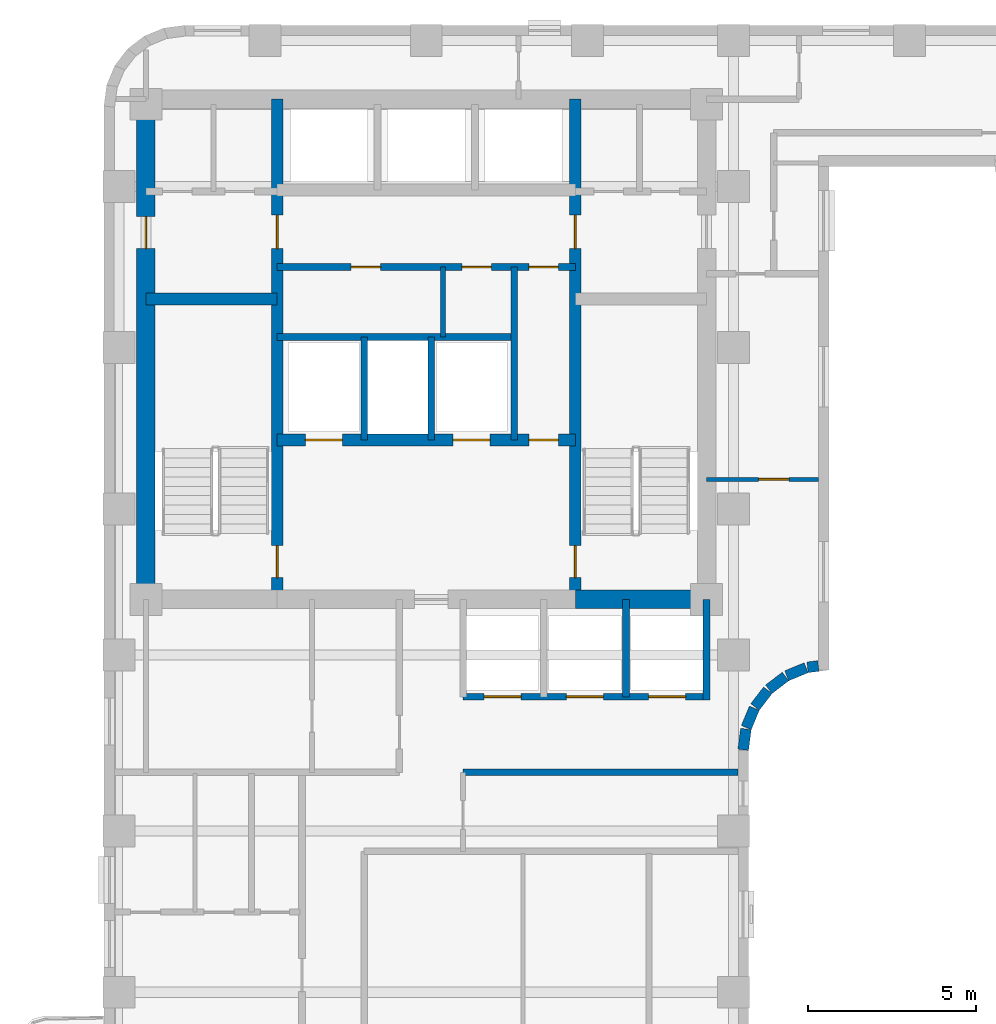
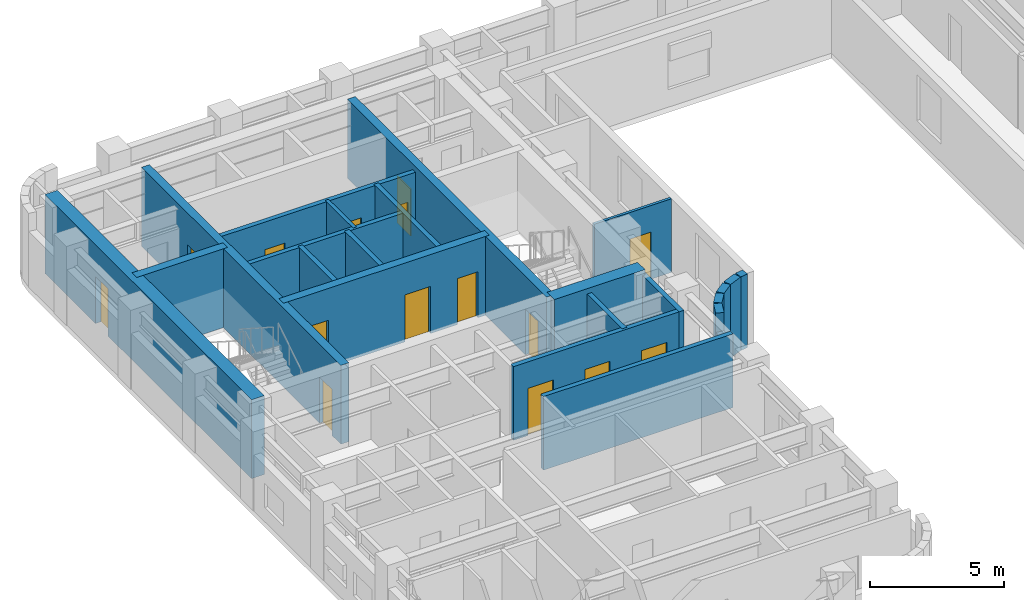
# One storey, part 4 of 10: 23 walls, 15 doors, 15 openings.
"""IFC4 building model written with IfcOpenShell, lengths in metres."""

from ifc_helpers import new_model, si_unit, direction, frame, frame_2d, origin, place, context, subcontext, project, spatial, rectangle, extrude, material, layer, layer_set, type_object, element, fill, save


model = new_model("IFC4")

# Units and contexts
model_context = context("Model", 3, precision=1e-05, world=origin(), true_north=direction((0.0, 1.0)))
body_context = subcontext(model_context, "Body", "Model", "MODEL_VIEW")
ifc_project = project(units=[si_unit("LENGTHUNIT", "METRE"), si_unit("AREAUNIT", "SQUARE_METRE"), si_unit("VOLUMEUNIT", "CUBIC_METRE"), si_unit("PLANEANGLEUNIT", "RADIAN"), si_unit("MASSUNIT", "GRAM", prefix="KILO")], contexts=[model_context])

# Site, building, storey
site_placement = place(None, origin())
site = spatial("IfcSite", under=ifc_project, at=site_placement, CompositionType="ELEMENT")
building_placement = place(site_placement, origin())
building = spatial("IfcBuilding", under=site, at=building_placement, Name="Orvandelia Arch Residences", CompositionType="ELEMENT")
storey_placement = place(building_placement, frame((0.0, 0.0, 179.199951171875)))
storey = spatial("IfcBuildingStorey", under=building, at=storey_placement, Name="L47", CompositionType="ELEMENT", Elevation=179.199951171875)

# Wall, openings, doors
ifc_material_1 = material(Name="Concrete C50/60", Category="concrete")
ifc_layer_1 = layer(ifc_material_1, 0.35009765625, Name="Concrete C50/60", Category="concrete")
ifc_layer_set_1 = layer_set([ifc_layer_1], Name="Concrete C50/60")
wall_type_1 = type_object("IfcWallType", Name="WL-CORE-350", PredefinedType="SHEAR", material=ifc_layer_set_1)
wall_1_placement = place(storey_placement, frame((9.9599609375, 30.89990234375, 0.0), z_axis=(0.0, 0.0, 1.0), x_axis=(0.0, 1.0, 0.0)))
wall_1 = element("IfcWall", 1, at=wall_1_placement, inside=storey, type_object=wall_type_1, Name="Core Shear Wall L47-WEB1", PredefinedType="SHEAR", context=body_context, shape_type="SweptSolid", body=[
    extrude(rectangle(XDim=14.900146484375, YDim=0.35009765625, at=frame_2d((7.4501953125, 0.0))), origin(), (0.0, 0.0, 1.0), 3.60009765625),
])
opening_1_placement = place(wall_1_placement, frame((0.64990234375, 0.0, 0.0)))
opening_1 = element("IfcOpeningElement", 2, at=opening_1_placement, cuts=wall_1, Name="Opening D7", PredefinedType="OPENING", context=body_context, shape_type="SweptSolid", body=[
    extrude(rectangle(XDim=0.949951171875, YDim=2.10009765625, at=frame_2d((0.47509765625, 1.050048828125))), frame((0.0, 0.18505859375, 0.0), z_axis=(0.0, -1.0, 0.0), x_axis=(1.0, 0.0, 0.0)), (0.0, 0.0, 1.0), 0.3701171875),
])
opening_2_placement = place(wall_1_placement, frame((10.449951171875, 0.0, 0.0)))
opening_2 = element("IfcOpeningElement", 3, at=opening_2_placement, cuts=wall_1, Name="Opening D6", PredefinedType="OPENING", context=body_context, shape_type="SweptSolid", body=[
    extrude(rectangle(XDim=1.0, YDim=2.14990234375, at=frame_2d((0.5, 1.074951171875))), frame((0.0, 0.18505859375, 0.0), z_axis=(0.0, -1.0, 0.0), x_axis=(1.0, 0.0, 0.0)), (0.0, 0.0, 1.0), 0.3701171875),
])
ifc_material_2 = material(Name="Smokeproof Painted Steel Fire Door", Category="steel")
door_type_1 = type_object("IfcDoorType", Name="DR-FD60-1000", OperationType="NOTDEFINED", PredefinedType="DOOR", material=ifc_material_2)
door_1_placement = place(opening_2_placement, origin())
door_1 = element("IfcDoor", 4, at=door_1_placement, inside=storey, type_object=door_type_1, Name="High-Rise Lift Hall West Vestibule Door L47", OperationType="SINGLE_SWING_LEFT", OverallHeight=2.14990234375, OverallWidth=1.0, PredefinedType="DOOR", context=body_context, shape_type="SweptSolid", body=[
    extrude(rectangle(XDim=1.0, YDim=2.14990234375, at=frame_2d((0.5, 1.074951171875))), frame((0.0, 0.02490234375, 0.0), z_axis=(0.0, -1.0, 0.0), x_axis=(1.0, 0.0, 0.0)), (0.0, 0.0, 1.0), 0.050048828125),
])
fill(opening_2, door_1)
ifc_material_3 = material(Name="Pressurised Stairwell Fire Door")
door_type_2 = type_object("IfcDoorType", Name="DR-STAIR-950", OperationType="NOTDEFINED", PredefinedType="DOOR", material=ifc_material_3)
door_2_placement = place(opening_1_placement, origin())
door_2 = element("IfcDoor", 5, at=door_2_placement, inside=storey, type_object=door_type_2, Name="Stairwell ST-1 Fire Door L47", OperationType="SINGLE_SWING_LEFT", OverallHeight=2.10009765625, OverallWidth=0.949951171875, PredefinedType="DOOR", context=body_context, shape_type="SweptSolid", body=[
    extrude(rectangle(XDim=0.949951171875, YDim=2.10009765625, at=frame_2d((0.47509765625, 1.050048828125))), frame((0.0, 0.02490234375, 0.0), z_axis=(0.0, -1.0, 0.0), x_axis=(1.0, 0.0, 0.0)), (0.0, 0.0, 1.0), 0.050048828125),
])
fill(opening_1, door_2)

wall_2_placement = place(storey_placement, frame((18.840087890625, 30.89990234375, 0.0), z_axis=(0.0, 0.0, 1.0), x_axis=(0.0, 1.0, 0.0)))
wall_2 = element("IfcWall", 6, at=wall_2_placement, inside=storey, type_object=wall_type_1, Name="Core Shear Wall L47-WEB2", PredefinedType="SHEAR", context=body_context, shape_type="SweptSolid", body=[
    extrude(rectangle(XDim=14.900146484375, YDim=0.35009765625, at=frame_2d((7.4501953125, 0.0))), origin(), (0.0, 0.0, 1.0), 3.60009765625),
])
opening_3_placement = place(wall_2_placement, frame((0.64990234375, 0.0, 0.0)))
opening_3 = element("IfcOpeningElement", 7, at=opening_3_placement, cuts=wall_2, Name="Opening D7", PredefinedType="OPENING", context=body_context, shape_type="SweptSolid", body=[
    extrude(rectangle(XDim=0.949951171875, YDim=2.10009765625, at=frame_2d((0.47509765625, 1.050048828125))), frame((0.0, 0.18505859375, 0.0), z_axis=(0.0, -1.0, 0.0), x_axis=(1.0, 0.0, 0.0)), (0.0, 0.0, 1.0), 0.3701171875),
])
opening_4_placement = place(wall_2_placement, frame((10.449951171875, 0.0, 0.0)))
opening_4 = element("IfcOpeningElement", 8, at=opening_4_placement, cuts=wall_2, Name="Opening D6", PredefinedType="OPENING", context=body_context, shape_type="SweptSolid", body=[
    extrude(rectangle(XDim=1.0, YDim=2.14990234375, at=frame_2d((0.5, 1.074951171875))), frame((0.0, 0.18505859375, 0.0), z_axis=(0.0, -1.0, 0.0), x_axis=(1.0, 0.0, 0.0)), (0.0, 0.0, 1.0), 0.3701171875),
])
door_3_placement = place(opening_4_placement, origin())
door_3 = element("IfcDoor", 9, at=door_3_placement, inside=storey, type_object=door_type_1, Name="High-Rise Lift Hall East Vestibule Door L47", OperationType="SINGLE_SWING_RIGHT", OverallHeight=2.14990234375, OverallWidth=1.0, PredefinedType="DOOR", context=body_context, shape_type="SweptSolid", body=[
    extrude(rectangle(XDim=1.0, YDim=2.14990234375, at=frame_2d((0.5, 1.074951171875))), frame((0.0, 0.02490234375, 0.0), z_axis=(0.0, -1.0, 0.0), x_axis=(1.0, 0.0, 0.0)), (0.0, 0.0, 1.0), 0.050048828125),
])
fill(opening_4, door_3)
door_4_placement = place(opening_3_placement, origin())
door_4 = element("IfcDoor", 10, at=door_4_placement, inside=storey, type_object=door_type_2, Name="Stairwell ST-2 Fire Door L47", OperationType="SINGLE_SWING_RIGHT", OverallHeight=2.10009765625, OverallWidth=0.949951171875, PredefinedType="DOOR", context=body_context, shape_type="SweptSolid", body=[
    extrude(rectangle(XDim=0.949951171875, YDim=2.10009765625, at=frame_2d((0.47509765625, 1.050048828125))), frame((0.0, 0.02490234375, 0.0), z_axis=(0.0, -1.0, 0.0), x_axis=(1.0, 0.0, 0.0)), (0.0, 0.0, 1.0), 0.050048828125),
])
fill(opening_3, door_4)

# Wall
wall_3_placement = place(storey_placement, frame((6.050048828125, 39.85009765625, 0.0), z_axis=(0.0, 0.0, 1.0), x_axis=(1.0, 0.0, 0.0)))
element("IfcWall", 11, at=wall_3_placement, inside=storey, type_object=wall_type_1, Name="Core Shear Wall L47-HZ1", PredefinedType="SHEAR", context=body_context, shape_type="SweptSolid", body=[
    extrude(rectangle(XDim=3.909912109375, YDim=0.35009765625, at=frame_2d((1.955078125, 0.0))), origin(), (0.0, 0.0, 1.0), 3.60009765625),
])

# Wall, openings, doors
wall_4_placement = place(storey_placement, frame((9.9599609375, 35.64990234375, 0.0), z_axis=(0.0, 0.0, 1.0), x_axis=(1.0, 0.0, 0.0)))
wall_4 = element("IfcWall", 12, at=wall_4_placement, inside=storey, type_object=wall_type_1, Name="Core Shear Wall L47-HZ3", PredefinedType="SHEAR", context=body_context, shape_type="SweptSolid", body=[
    extrude(rectangle(XDim=8.880126953125, YDim=0.35009765625, at=frame_2d((4.43994140625, 0.0))), origin(), (0.0, 0.0, 1.0), 3.60009765625),
])
opening_5_placement = place(wall_4_placement, frame((0.840087890625, 0.0, 0.0)))
opening_5 = element("IfcOpeningElement", 13, at=opening_5_placement, cuts=wall_4, Name="Opening FLD", PredefinedType="OPENING", context=body_context, shape_type="SweptSolid", body=[
    extrude(rectangle(XDim=1.10009765625, YDim=2.14990234375, at=frame_2d((0.550048828125, 1.074951171875))), frame((0.0, 0.18505859375, 0.0), z_axis=(0.0, -1.0, 0.0), x_axis=(1.0, 0.0, 0.0)), (0.0, 0.0, 1.0), 0.3701171875),
])
opening_6_placement = place(wall_4_placement, frame((5.239990234375, 0.0, 0.0)))
opening_6 = element("IfcOpeningElement", 14, at=opening_6_placement, cuts=wall_4, Name="Opening FLD", PredefinedType="OPENING", context=body_context, shape_type="SweptSolid", body=[
    extrude(rectangle(XDim=1.10009765625, YDim=2.14990234375, at=frame_2d((0.550048828125, 1.074951171875))), frame((0.0, 0.18505859375, 0.0), z_axis=(0.0, -1.0, 0.0), x_axis=(1.0, 0.0, 0.0)), (0.0, 0.0, 1.0), 0.3701171875),
])
opening_7_placement = place(wall_4_placement, frame((7.5, 0.0, 0.0)))
opening_7 = element("IfcOpeningElement", 15, at=opening_7_placement, cuts=wall_4, Name="Opening D5", PredefinedType="OPENING", context=body_context, shape_type="SweptSolid", body=[
    extrude(rectangle(XDim=0.8798828125, YDim=2.10009765625, at=frame_2d((0.43994140625, 1.050048828125))), frame((0.0, 0.18505859375, 0.0), z_axis=(0.0, -1.0, 0.0), x_axis=(1.0, 0.0, 0.0)), (0.0, 0.0, 1.0), 0.3701171875),
])
ifc_material_4 = material(Name="Firefighting Lift Stainless Sliding Door")
door_type_3 = type_object("IfcDoorType", Name="DR-FLFT-1100", OperationType="NOTDEFINED", PredefinedType="DOOR", material=ifc_material_4)
door_5_placement = place(opening_5_placement, origin())
door_5 = element("IfcDoor", 16, at=door_5_placement, inside=storey, type_object=door_type_3, Name="Firefighting Lift Landing Door FLD-FL1-L47", OperationType="SLIDING_TO_LEFT", OverallHeight=2.14990234375, OverallWidth=1.10009765625, PredefinedType="DOOR", context=body_context, shape_type="SweptSolid", body=[
    extrude(rectangle(XDim=1.10009765625, YDim=2.14990234375, at=frame_2d((0.550048828125, 1.074951171875))), frame((0.0, 0.02490234375, 0.0), z_axis=(0.0, -1.0, 0.0), x_axis=(1.0, 0.0, 0.0)), (0.0, 0.0, 1.0), 0.050048828125),
])
fill(opening_5, door_5)
door_6_placement = place(opening_6_placement, origin())
door_6 = element("IfcDoor", 17, at=door_6_placement, inside=storey, type_object=door_type_3, Name="Firefighting Lift Landing Door FLD-FL2-L47", OperationType="SLIDING_TO_RIGHT", OverallHeight=2.14990234375, OverallWidth=1.10009765625, PredefinedType="DOOR", context=body_context, shape_type="SweptSolid", body=[
    extrude(rectangle(XDim=1.10009765625, YDim=2.14990234375, at=frame_2d((0.550048828125, 1.074951171875))), frame((0.0, 0.02490234375, 0.0), z_axis=(0.0, -1.0, 0.0), x_axis=(1.0, 0.0, 0.0)), (0.0, 0.0, 1.0), 0.050048828125),
])
fill(opening_6, door_6)
ifc_material_5 = material(Name="Painted Galvanised Steel Service Door", Category="steel")
door_type_4 = type_object("IfcDoorType", Name="DR-SRV-880", OperationType="NOTDEFINED", PredefinedType="DOOR", material=ifc_material_5)
door_7_placement = place(opening_7_placement, origin())
door_7 = element("IfcDoor", 18, at=door_7_placement, inside=storey, type_object=door_type_4, Name="Core Stairway Passage South Fire Door L47", OperationType="SINGLE_SWING_LEFT", OverallHeight=2.10009765625, OverallWidth=0.8798828125, PredefinedType="DOOR", context=body_context, shape_type="SweptSolid", body=[
    extrude(rectangle(XDim=0.8798828125, YDim=2.10009765625, at=frame_2d((0.43994140625, 1.050048828125))), frame((0.0, 0.02490234375, 0.0), z_axis=(0.0, -1.0, 0.0), x_axis=(1.0, 0.0, 0.0)), (0.0, 0.0, 1.0), 0.050048828125),
])
fill(opening_7, door_7)

# Wall, opening, door
ifc_material_6 = material(Name="Concrete C60/75", Category="concrete")
ifc_layer_2 = layer(ifc_material_6, 0.550048828125, Name="Concrete C60/75", Category="concrete")
ifc_layer_set_2 = layer_set([ifc_layer_2], Name="Concrete C60/75")
wall_type_2 = type_object("IfcWallType", Name="WL-CORE-550", PredefinedType="SHEAR", material=ifc_layer_set_2)
wall_5_placement = place(storey_placement, frame((6.050048828125, 30.625, 0.0), z_axis=(0.0, 0.0, 1.0), x_axis=(0.0, 1.0, 0.0)))
wall_5 = element("IfcWall", 19, at=wall_5_placement, inside=storey, type_object=wall_type_2, Name="Core Shear Wall L47-W", PredefinedType="SHEAR", context=body_context, shape_type="SweptSolid", body=[
    extrude(rectangle(XDim=15.449951171875, YDim=0.550048828125, at=frame_2d((7.72509765625, 0.0))), origin(), (0.0, 0.0, 1.0), 3.60009765625),
])
opening_8_placement = place(wall_5_placement, frame((10.72509765625, 0.0, 0.0)))
opening_8 = element("IfcOpeningElement", 20, at=opening_8_placement, cuts=wall_5, Name="Opening D2", PredefinedType="OPENING", context=body_context, shape_type="SweptSolid", body=[
    extrude(rectangle(XDim=0.949951171875, YDim=2.14990234375, at=frame_2d((0.47509765625, 1.074951171875))), frame((0.0, 0.28515625, 0.0), z_axis=(0.0, -1.0, 0.0), x_axis=(1.0, 0.0, 0.0)), (0.0, 0.0, 1.0), 0.570068359375),
])
ifc_material_7 = material(Name="Solid-Core Timber Interior Fire Door", Category="wood")
door_type_5 = type_object("IfcDoorType", Name="DR-APT-950", OperationType="NOTDEFINED", PredefinedType="DOOR", material=ifc_material_7)
door_8_placement = place(opening_8_placement, origin())
door_8 = element("IfcDoor", 21, at=door_8_placement, inside=storey, type_object=door_type_5, Name="West Viewing Study Door L47", OperationType="SINGLE_SWING_RIGHT", OverallHeight=2.14990234375, OverallWidth=0.949951171875, PredefinedType="DOOR", context=body_context, shape_type="SweptSolid", body=[
    extrude(rectangle(XDim=0.949951171875, YDim=2.14990234375, at=frame_2d((0.47509765625, 1.074951171875))), frame((0.0, 0.02490234375, 0.0), z_axis=(0.0, -1.0, 0.0), x_axis=(1.0, 0.0, 0.0)), (0.0, 0.0, 1.0), 0.050048828125),
])
fill(opening_8, door_8)

# Walls
wall_6_placement = place(storey_placement, frame((18.840087890625, 30.89990234375, 0.0), z_axis=(0.0, 0.0, 1.0), x_axis=(1.0, 0.0, 0.0)))
element("IfcWall", 22, at=wall_6_placement, inside=storey, type_object=wall_type_2, Name="Core Shear Wall L47-SE", PredefinedType="SHEAR", context=body_context, shape_type="SweptSolid", body=[
    extrude(rectangle(XDim=3.909912109375, YDim=0.550048828125, at=frame_2d((1.955078125, 0.0))), origin(), (0.0, 0.0, 1.0), 3.60009765625),
])
ifc_material_8 = material(Name="Fire-Rated Corridor Partition")
ifc_layer_3 = layer(ifc_material_8, 0.199951171875, Name="Fire-Rated Corridor Partition")
ifc_layer_set_3 = layer_set([ifc_layer_3], Name="Fire-Rated Corridor Partition")
wall_type_3 = type_object("IfcWallType", Name="WL-CORR-200", PredefinedType="PARTITIONING", material=ifc_layer_set_3)
wall_7_placement = place(storey_placement, frame((15.5, 25.75, 0.0), z_axis=(0.0, 0.0, 1.0), x_axis=(1.0, 0.0, 0.0)))
element("IfcWall", 23, at=wall_7_placement, inside=storey, type_object=wall_type_3, Name="Interior Partition Wall WL-L47-WLNK-NE2", PredefinedType="PARTITIONING", context=body_context, shape_type="SweptSolid", body=[
    extrude(rectangle(XDim=8.179931640625, YDim=0.199951171875, at=frame_2d((4.08984375, 0.0))), origin(), (0.0, 0.0, 1.0), 3.360107421875),
])
ifc_material_9 = material(Name="Precast concrete C40/50", Category="concrete")
ifc_layer_4 = layer(ifc_material_9, 0.320068359375, Name="Precast concrete C40/50", Category="concrete")
ifc_layer_set_4 = layer_set([ifc_layer_4], Name="Precast concrete C40/50")
wall_type_4 = type_object("IfcWallType", Name="WL-EXT-STONE-320", PredefinedType="STANDARD", material=ifc_layer_set_4)
wall_8_placement = place(storey_placement, frame((26.081787109375, 28.91943359375, 0.0), z_axis=(0.0, 0.0, 1.0), x_axis=(-0.991512688813, -0.130009953168, 0.0)))
element("IfcWall", 24, at=wall_8_placement, inside=storey, type_object=wall_type_4, Name="Coral-Limestone Precast Facade Wall L47-025", PredefinedType="STANDARD", context=body_context, shape_type="SweptSolid", body=[
    extrude(rectangle(XDim=0.32666015625, YDim=0.320068359375, at=frame_2d((0.163330078125, 0.0))), origin(), (0.0, 0.0, 1.0), 3.360107421875),
])
wall_9_placement = place(storey_placement, frame((25.717529296875, 28.865966796875, 0.0), z_axis=(0.0, 0.0, 1.0), x_axis=(-0.923836271867, -0.382787856107, 0.0)))
element("IfcWall", 25, at=wall_9_placement, inside=storey, type_object=wall_type_4, Name="Coral-Limestone Precast Facade Wall L47-026", PredefinedType="STANDARD", context=body_context, shape_type="SweptSolid", body=[
    extrude(rectangle(XDim=0.626220703125, YDim=0.320068359375, at=frame_2d((0.31298828125, 0.0))), origin(), (0.0, 0.0, 1.0), 3.360107421875),
])
for number, where, z_axis, x_axis, name in (
    (26, (25.1025390625, 28.60546875, 0.0), (0.0, 0.0, 1.0), (-0.793405610854, -0.608693302629, 0.0), "Coral-Limestone Precast Facade Wall L47-027"),
    (27, (24.575927734375, 28.194580078125, 0.0), (0.0, 0.0, 1.0), (-0.608693302629, -0.793405610854, 0.0), "Coral-Limestone Precast Facade Wall L47-028"),
):
    element("IfcWall", number, at=place(storey_placement, frame(where, z_axis=z_axis, x_axis=x_axis)), inside=storey, type_object=wall_type_4, Name=name, PredefinedType="STANDARD", context=body_context, shape_type="SweptSolid", body=[
        extrude(rectangle(XDim=0.62646484375, YDim=0.320068359375, at=frame_2d((0.313232421875, 0.0))), origin(), (0.0, 0.0, 1.0), 3.360107421875),
    ])
wall_10_placement = place(storey_placement, frame((24.173583984375, 27.6611328125, 0.0), z_axis=(0.0, 0.0, 1.0), x_axis=(-0.382455093999, -0.923974080304, 0.0)))
element("IfcWall", 28, at=wall_10_placement, inside=storey, type_object=wall_type_4, Name="Coral-Limestone Precast Facade Wall L47-029", PredefinedType="STANDARD", context=body_context, shape_type="SweptSolid", body=[
    extrude(rectangle(XDim=0.626220703125, YDim=0.320068359375, at=frame_2d((0.31298828125, 0.0))), origin(), (0.0, 0.0, 1.0), 3.360107421875),
])
wall_11_placement = place(storey_placement, frame((23.923095703125, 27.0419921875, 0.0), z_axis=(0.0, 0.0, 1.0), x_axis=(-0.130555323746, -0.9914410257, 0.0)))
element("IfcWall", 29, at=wall_11_placement, inside=storey, type_object=wall_type_4, Name="Coral-Limestone Precast Facade Wall L47-030", PredefinedType="STANDARD", context=body_context, shape_type="SweptSolid", body=[
    extrude(rectangle(XDim=0.62646484375, YDim=0.320068359375, at=frame_2d((0.313232421875, 0.0))), origin(), (0.0, 0.0, 1.0), 2.5400390625),
])

# Wall, opening, door
ifc_material_10 = material(Name="Lightweight Gypsum Stud Partition")
ifc_layer_5 = layer(ifc_material_10, 0.1201171875, Name="Lightweight Gypsum Stud Partition")
ifc_layer_set_5 = layer_set([ifc_layer_5], Name="Lightweight Gypsum Stud Partition")
wall_type_5 = type_object("IfcWallType", Name="WL-PART-120", PredefinedType="PARTITIONING", material=ifc_layer_set_5)
wall_12_placement = place(storey_placement, frame((22.75, 34.47998046875, 0.0), z_axis=(0.0, 0.0, 1.0), x_axis=(1.0, 0.0, 0.0)))
wall_12 = element("IfcWall", 30, at=wall_12_placement, inside=storey, type_object=wall_type_5, Name="Interior Partition Wall WL-L47-VPW-M", PredefinedType="PARTITIONING", context=body_context, shape_type="SweptSolid", body=[
    extrude(rectangle(XDim=3.330078125, YDim=0.1201171875, at=frame_2d((1.6650390625, 0.0))), origin(), (0.0, 0.0, 1.0), 3.360107421875),
])
opening_9_placement = place(wall_12_placement, frame((1.550048828125, 0.0, 0.0)))
opening_9 = element("IfcOpeningElement", 31, at=opening_9_placement, cuts=wall_12, Name="Opening D3", PredefinedType="OPENING", context=body_context, shape_type="SweptSolid", body=[
    extrude(rectangle(XDim=0.89990234375, YDim=2.14990234375, at=frame_2d((0.449951171875, 1.074951171875))), frame((0.0, 0.070068359375, 0.0), z_axis=(0.0, -1.0, 0.0), x_axis=(1.0, 0.0, 0.0)), (0.0, 0.0, 1.0), 0.14013671875),
])
ifc_material_11 = material(Name="Engineered Timber Flush Door", Category="wood")
door_type_6 = type_object("IfcDoorType", Name="DR-INT-900", OperationType="NOTDEFINED", PredefinedType="DOOR", material=ifc_material_11)
door_9_placement = place(opening_9_placement, origin())
door_9 = element("IfcDoor", 32, at=door_9_placement, inside=storey, type_object=door_type_6, Name="DR-L47-VPWL1", OperationType="SINGLE_SWING_LEFT", OverallHeight=2.14990234375, OverallWidth=0.89990234375, PredefinedType="DOOR", context=body_context, shape_type="SweptSolid", body=[
    extrude(rectangle(XDim=0.89990234375, YDim=2.14990234375, at=frame_2d((0.449951171875, 1.074951171875))), frame((0.0, 0.02490234375, 0.0), z_axis=(0.0, -1.0, 0.0), x_axis=(1.0, 0.0, 0.0)), (0.0, 0.0, 1.0), 0.050048828125),
])
fill(opening_9, door_9)

# Walls
ifc_material_12 = material(Name="Acoustic Gypsum Stud Partition")
ifc_layer_6 = layer(ifc_material_12, 0.14990234375, Name="Acoustic Gypsum Stud Partition")
ifc_layer_set_6 = layer_set([ifc_layer_6], Name="Acoustic Gypsum Stud Partition")
wall_type_6 = type_object("IfcWallType", Name="WL-PART-150", PredefinedType="PARTITIONING", material=ifc_layer_set_6)
wall_13_placement = place(storey_placement, frame((14.89990234375, 38.719970703125, 0.0), z_axis=(0.0, 0.0, 1.0), x_axis=(0.0, 1.0, 0.0)))
element("IfcWall", 33, at=wall_13_placement, inside=storey, type_object=wall_type_6, Name="Interior Partition Wall WL-L47-CSA-1", PredefinedType="PARTITIONING", context=body_context, shape_type="SweptSolid", body=[
    extrude(rectangle(XDim=2.080078125, YDim=0.14990234375, at=frame_2d((1.0400390625, 0.0))), origin(), (0.0, 0.0, 1.0), 3.360107421875),
])
ifc_material_13 = material(Name="Fire-Rated Shaft Enclosure Wall")
ifc_layer_7 = layer(ifc_material_13, 0.199951171875, Name="Fire-Rated Shaft Enclosure Wall")
ifc_layer_set_7 = layer_set([ifc_layer_7], Name="Fire-Rated Shaft Enclosure Wall")
wall_type_7 = type_object("IfcWallType", Name="WL-SHAFT-200", PredefinedType="POLYGONAL", material=ifc_layer_set_7)
wall_14_placement = place(storey_placement, frame((9.9599609375, 38.719970703125, 0.0), z_axis=(0.0, 0.0, 1.0), x_axis=(1.0, 0.0, 0.0)))
element("IfcWall", 34, at=wall_14_placement, inside=storey, type_object=wall_type_7, Name="Interior Partition Wall WL-L47-FLN", PredefinedType="POLYGONAL", context=body_context, shape_type="SweptSolid", body=[
    extrude(rectangle(XDim=7.06005859375, YDim=0.199951171875, at=frame_2d((3.530029296875, 0.0))), origin(), (0.0, 0.0, 1.0), 3.360107421875),
])
for number, where, z_axis, x_axis, name in (
    (35, (12.550048828125, 35.64990234375, 0.0), (0.0, 0.0, 1.0), (0.0, 1.0, 0.0), "Interior Partition Wall WL-L47-FLM1"),
    (36, (14.550048828125, 35.64990234375, 0.0), (0.0, 0.0, 1.0), (0.0, 1.0, 0.0), "Interior Partition Wall WL-L47-FLM2"),
):
    element("IfcWall", number, at=place(storey_placement, frame(where, z_axis=z_axis, x_axis=x_axis)), inside=storey, type_object=wall_type_7, Name=name, PredefinedType="POLYGONAL", context=body_context, shape_type="SweptSolid", body=[
        extrude(rectangle(XDim=3.070068359375, YDim=0.199951171875, at=frame_2d((1.53515625, 0.0))), origin(), (0.0, 0.0, 1.0), 3.360107421875),
    ])
wall_15_placement = place(storey_placement, frame((17.02001953125, 35.64990234375, 0.0), z_axis=(0.0, 0.0, 1.0), x_axis=(0.0, 1.0, 0.0)))
element("IfcWall", 37, at=wall_15_placement, inside=storey, type_object=wall_type_7, Name="Interior Partition Wall WL-L47-FLM3", PredefinedType="POLYGONAL", context=body_context, shape_type="SweptSolid", body=[
    extrude(rectangle(XDim=5.150146484375, YDim=0.199951171875, at=frame_2d((2.5751953125, 0.0))), origin(), (0.0, 0.0, 1.0), 3.360107421875),
])

# Wall, openings, doors
wall_16_placement = place(storey_placement, frame((9.9599609375, 40.800048828125, 0.0), z_axis=(0.0, 0.0, 1.0), x_axis=(1.0, 0.0, 0.0)))
wall_16 = element("IfcWall", 38, at=wall_16_placement, inside=storey, type_object=wall_type_7, Name="Interior Partition Wall WL-L47-HLH-S", PredefinedType="POLYGONAL", context=body_context, shape_type="SweptSolid", body=[
    extrude(rectangle(XDim=8.880126953125, YDim=0.199951171875, at=frame_2d((4.43994140625, 0.0))), origin(), (0.0, 0.0, 1.0), 3.360107421875),
])
opening_10_placement = place(wall_16_placement, frame((7.5, 0.0, 0.0)))
opening_10 = element("IfcOpeningElement", 39, at=opening_10_placement, cuts=wall_16, Name="Opening D5", PredefinedType="OPENING", context=body_context, shape_type="SweptSolid", body=[
    extrude(rectangle(XDim=0.8798828125, YDim=2.10009765625, at=frame_2d((0.43994140625, 1.050048828125))), frame((0.0, 0.10986328125, 0.0), z_axis=(0.0, -1.0, 0.0), x_axis=(1.0, 0.0, 0.0)), (0.0, 0.0, 1.0), 0.219970703125),
])
opening_11_placement = place(wall_16_placement, frame((2.199951171875, 0.0, 0.0)))
opening_11 = element("IfcOpeningElement", 40, at=opening_11_placement, cuts=wall_16, Name="Opening D5", PredefinedType="OPENING", context=body_context, shape_type="SweptSolid", body=[
    extrude(rectangle(XDim=0.8798828125, YDim=2.10009765625, at=frame_2d((0.43994140625, 1.050048828125))), frame((0.0, 0.10986328125, 0.0), z_axis=(0.0, -1.0, 0.0), x_axis=(1.0, 0.0, 0.0)), (0.0, 0.0, 1.0), 0.219970703125),
])
opening_12_placement = place(wall_16_placement, frame((5.5, 0.0, 0.0)))
opening_12 = element("IfcOpeningElement", 41, at=opening_12_placement, cuts=wall_16, Name="Opening D5", PredefinedType="OPENING", context=body_context, shape_type="SweptSolid", body=[
    extrude(rectangle(XDim=0.8798828125, YDim=2.10009765625, at=frame_2d((0.43994140625, 1.050048828125))), frame((0.0, 0.10986328125, 0.0), z_axis=(0.0, -1.0, 0.0), x_axis=(1.0, 0.0, 0.0)), (0.0, 0.0, 1.0), 0.219970703125),
])
door_10_placement = place(opening_10_placement, origin())
door_10 = element("IfcDoor", 42, at=door_10_placement, inside=storey, type_object=door_type_4, Name="Core Stairway Passage North Fire Door L47", OperationType="SINGLE_SWING_RIGHT", OverallHeight=2.10009765625, OverallWidth=0.8798828125, PredefinedType="DOOR", context=body_context, shape_type="SweptSolid", body=[
    extrude(rectangle(XDim=0.8798828125, YDim=2.10009765625, at=frame_2d((0.43994140625, 1.050048828125))), frame((0.0, 0.02490234375, 0.0), z_axis=(0.0, -1.0, 0.0), x_axis=(1.0, 0.0, 0.0)), (0.0, 0.0, 1.0), 0.050048828125),
])
fill(opening_10, door_10)
door_11_placement = place(opening_11_placement, origin())
door_11 = element("IfcDoor", 43, at=door_11_placement, inside=storey, type_object=door_type_4, Name="DR-L47-CSA1", OperationType="SINGLE_SWING_RIGHT", OverallHeight=2.10009765625, OverallWidth=0.8798828125, PredefinedType="DOOR", context=body_context, shape_type="SweptSolid", body=[
    extrude(rectangle(XDim=0.8798828125, YDim=2.10009765625, at=frame_2d((0.43994140625, 1.050048828125))), frame((0.0, 0.02490234375, 0.0), z_axis=(0.0, -1.0, 0.0), x_axis=(1.0, 0.0, 0.0)), (0.0, 0.0, 1.0), 0.050048828125),
])
fill(opening_11, door_11)
door_12_placement = place(opening_12_placement, origin())
door_12 = element("IfcDoor", 44, at=door_12_placement, inside=storey, type_object=door_type_4, Name="DR-L47-CSA2", OperationType="SINGLE_SWING_LEFT", OverallHeight=2.10009765625, OverallWidth=0.8798828125, PredefinedType="DOOR", context=body_context, shape_type="SweptSolid", body=[
    extrude(rectangle(XDim=0.8798828125, YDim=2.10009765625, at=frame_2d((0.43994140625, 1.050048828125))), frame((0.0, 0.02490234375, 0.0), z_axis=(0.0, -1.0, 0.0), x_axis=(1.0, 0.0, 0.0)), (0.0, 0.0, 1.0), 0.050048828125),
])
fill(opening_12, door_12)

wall_17_placement = place(storey_placement, frame((15.5, 28.0, 0.0), z_axis=(0.0, 0.0, 1.0), x_axis=(1.0, 0.0, 0.0)))
wall_17 = element("IfcWall", 45, at=wall_17_placement, inside=storey, type_object=wall_type_7, Name="Interior Partition Wall WL-L47-BNKM-S", PredefinedType="POLYGONAL", context=body_context, shape_type="SweptSolid", body=[
    extrude(rectangle(XDim=7.25, YDim=0.199951171875, at=frame_2d((3.625, 0.0))), origin(), (0.0, 0.0, 1.0), 3.360107421875),
])
opening_13_placement = place(wall_17_placement, frame((0.625, 0.0, 0.0)))
opening_13 = element("IfcOpeningElement", 46, at=opening_13_placement, cuts=wall_17, Name="Opening LD", PredefinedType="OPENING", context=body_context, shape_type="SweptSolid", body=[
    extrude(rectangle(XDim=1.10009765625, YDim=2.14990234375, at=frame_2d((0.550048828125, 1.074951171875))), frame((0.0, 0.10986328125, 0.0), z_axis=(0.0, -1.0, 0.0), x_axis=(1.0, 0.0, 0.0)), (0.0, 0.0, 1.0), 0.219970703125),
])
opening_14_placement = place(wall_17_placement, frame((3.074951171875, 0.0, 0.0)))
opening_14 = element("IfcOpeningElement", 47, at=opening_14_placement, cuts=wall_17, Name="Opening LD", PredefinedType="OPENING", context=body_context, shape_type="SweptSolid", body=[
    extrude(rectangle(XDim=1.10009765625, YDim=2.14990234375, at=frame_2d((0.550048828125, 1.074951171875))), frame((0.0, 0.10986328125, 0.0), z_axis=(0.0, -1.0, 0.0), x_axis=(1.0, 0.0, 0.0)), (0.0, 0.0, 1.0), 0.219970703125),
])
opening_15_placement = place(wall_17_placement, frame((5.52490234375, 0.0, 0.0)))
opening_15 = element("IfcOpeningElement", 48, at=opening_15_placement, cuts=wall_17, Name="Opening LD", PredefinedType="OPENING", context=body_context, shape_type="SweptSolid", body=[
    extrude(rectangle(XDim=1.10009765625, YDim=2.14990234375, at=frame_2d((0.550048828125, 1.074951171875))), frame((0.0, 0.10986328125, 0.0), z_axis=(0.0, -1.0, 0.0), x_axis=(1.0, 0.0, 0.0)), (0.0, 0.0, 1.0), 0.219970703125),
])
ifc_material_14 = material(Name="Brushed Stainless Steel Sliding Lift Door", Category="steel")
door_type_7 = type_object("IfcDoorType", Name="DR-LIFT-1100", OperationType="NOTDEFINED", PredefinedType="DOOR", material=ifc_material_14)
door_13_placement = place(opening_13_placement, origin())
door_13 = element("IfcDoor", 49, at=door_13_placement, inside=storey, type_object=door_type_7, Name="Lift Landing Door LD-PM1", OperationType="SLIDING_TO_LEFT", OverallHeight=2.14990234375, OverallWidth=1.10009765625, PredefinedType="DOOR", context=body_context, shape_type="SweptSolid", body=[
    extrude(rectangle(XDim=1.10009765625, YDim=2.14990234375, at=frame_2d((0.550048828125, 1.074951171875))), frame((0.0, 0.02490234375, 0.0), z_axis=(0.0, -1.0, 0.0), x_axis=(1.0, 0.0, 0.0)), (0.0, 0.0, 1.0), 0.050048828125),
])
fill(opening_13, door_13)
door_14_placement = place(opening_14_placement, origin())
door_14 = element("IfcDoor", 50, at=door_14_placement, inside=storey, type_object=door_type_7, Name="Lift Landing Door LD-PM2", OperationType="SLIDING_TO_RIGHT", OverallHeight=2.14990234375, OverallWidth=1.10009765625, PredefinedType="DOOR", context=body_context, shape_type="SweptSolid", body=[
    extrude(rectangle(XDim=1.10009765625, YDim=2.14990234375, at=frame_2d((0.550048828125, 1.074951171875))), frame((0.0, 0.02490234375, 0.0), z_axis=(0.0, -1.0, 0.0), x_axis=(1.0, 0.0, 0.0)), (0.0, 0.0, 1.0), 0.050048828125),
])
fill(opening_14, door_14)
door_15_placement = place(opening_15_placement, origin())
door_15 = element("IfcDoor", 51, at=door_15_placement, inside=storey, type_object=door_type_7, Name="Lift Landing Door LD-PM3", OperationType="SLIDING_TO_LEFT", OverallHeight=2.14990234375, OverallWidth=1.10009765625, PredefinedType="DOOR", context=body_context, shape_type="SweptSolid", body=[
    extrude(rectangle(XDim=1.10009765625, YDim=2.14990234375, at=frame_2d((0.550048828125, 1.074951171875))), frame((0.0, 0.02490234375, 0.0), z_axis=(0.0, -1.0, 0.0), x_axis=(1.0, 0.0, 0.0)), (0.0, 0.0, 1.0), 0.050048828125),
])
fill(opening_15, door_15)

# Walls
wall_18_placement = place(storey_placement, frame((22.75, 27.89990234375, 0.0), z_axis=(0.0, 0.0, 1.0), x_axis=(0.0, 1.0, 0.0)))
element("IfcWall", 52, at=wall_18_placement, inside=storey, type_object=wall_type_7, Name="Interior Partition Wall WL-L47-BNKM-E", PredefinedType="POLYGONAL", context=body_context, shape_type="SweptSolid", body=[
    extrude(rectangle(XDim=3.0, YDim=0.199951171875, at=frame_2d((1.5, 0.0))), origin(), (0.0, 0.0, 1.0), 3.360107421875),
])
wall_19_placement = place(storey_placement, frame((20.35009765625, 28.0, 0.0), z_axis=(0.0, 0.0, 1.0), x_axis=(0.0, 1.0, 0.0)))
element("IfcWall", 53, at=wall_19_placement, inside=storey, type_object=wall_type_7, Name="Interior Partition Wall WL-L47-BNKMD-2035", PredefinedType="POLYGONAL", context=body_context, shape_type="SweptSolid", body=[
    extrude(rectangle(XDim=2.89990234375, YDim=0.199951171875, at=frame_2d((1.449951171875, 0.0))), origin(), (0.0, 0.0, 1.0), 3.360107421875),
])

save(model, "model.ifc")
